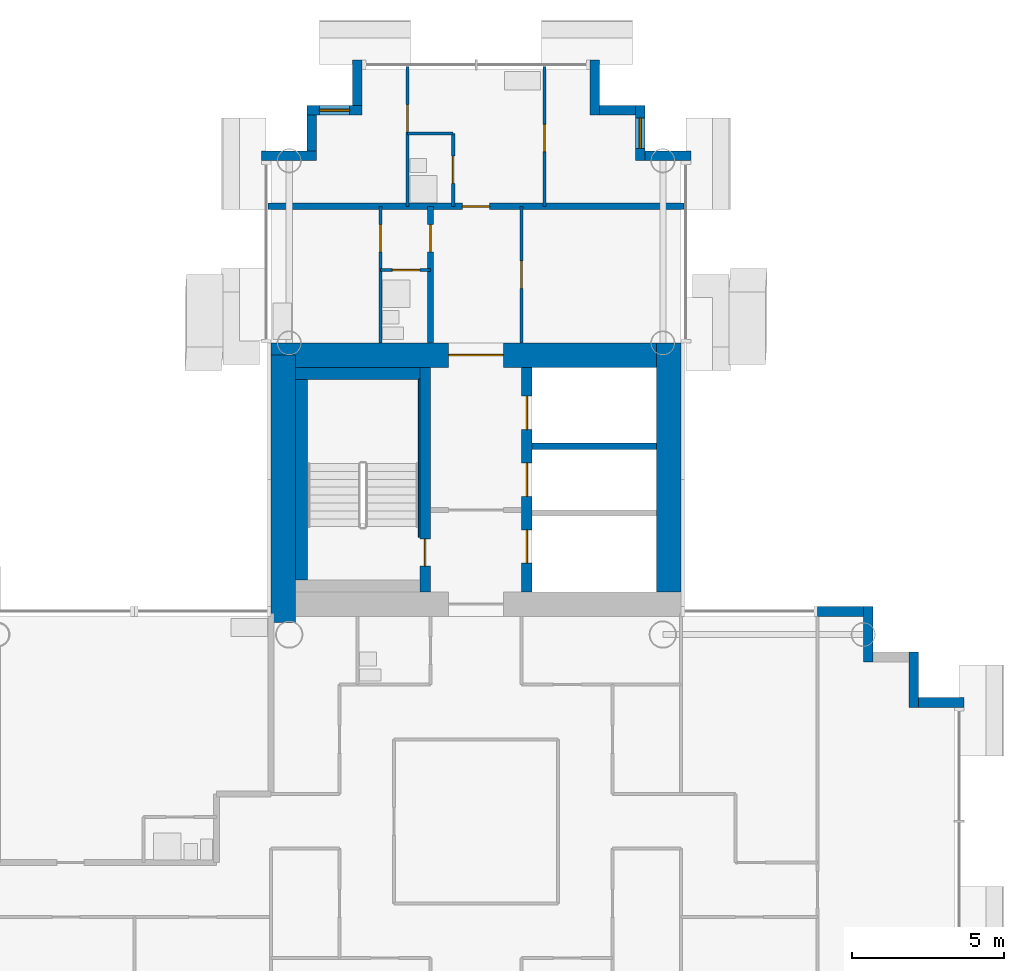
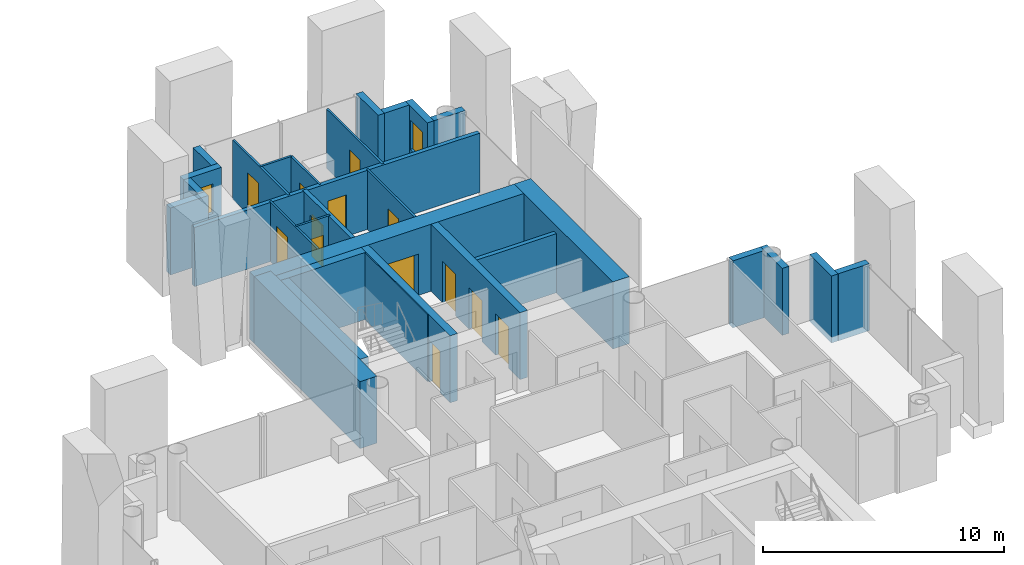
# One storey, part 11 of 18: 30 walls, 13 doors, 2 windows, 15 openings.
"""IFC4 building model written with IfcOpenShell, lengths in metres."""

from ifc_helpers import new_model, si_unit, direction, frame, frame_2d, origin, place, context, subcontext, project, spatial, rectangle, extrude, material, layer, layer_set, type_object, element, fill, save


model = new_model("IFC4")

# Units and contexts
model_context = context("Model", 3, precision=1e-05, world=origin(), true_north=direction((0.0, 1.0)))
body_context = subcontext(model_context, "Body", "Model", "MODEL_VIEW")
ifc_project = project(units=[si_unit("LENGTHUNIT", "METRE"), si_unit("AREAUNIT", "SQUARE_METRE"), si_unit("VOLUMEUNIT", "CUBIC_METRE"), si_unit("PLANEANGLEUNIT", "RADIAN"), si_unit("MASSUNIT", "GRAM", prefix="KILO")], contexts=[model_context])

# Site, building, storey
site_placement = place(None, origin())
site = spatial("IfcSite", under=ifc_project, at=site_placement, CompositionType="ELEMENT")
building_placement = place(site_placement, origin())
building = spatial("IfcBuilding", under=site, at=building_placement, Name="Ipe Terrace Towers", CompositionType="ELEMENT")
storey_placement = place(building_placement, frame((0.0, 0.0, 150.699951171875)))
storey = spatial("IfcBuildingStorey", under=building, at=storey_placement, Name="L41", CompositionType="ELEMENT", Elevation=150.699951171875)

# Walls
ifc_material_1 = material(Name="Concrete C40/50 with buff precast cladding", Category="concrete")
ifc_layer_1 = layer(ifc_material_1, 0.320068359375)
ifc_layer_set_1 = layer_set([ifc_layer_1], Name="BUFF CLADDING WALL 320")
wall_type_1 = type_object("IfcWallType", Name="BUFF CLADDING WALL 320", PredefinedType="STANDARD", material=ifc_layer_set_1)
wall_1_placement = place(storey_placement, frame((52.070068359375, 3.909912109375, -0.300048828125), z_axis=(0.0, 0.0, 1.0), x_axis=(-1.0, 0.0, 0.0)))
element("IfcWall", 1, at=wall_1_placement, inside=storey, type_object=wall_type_1, Name="T2-W-L41-09a wall", PredefinedType="STANDARD", context=body_context, shape_type="SweptSolid", body=[
    extrude(rectangle(XDim=1.5, YDim=0.320068359375, at=frame_2d((0.75, 0.0))), origin(), (0.0, 0.0, 1.0), 3.400146484375),
])
for number, where, z_axis, x_axis, name in (
    (2, (50.409912109375, 3.75, -0.300048828125), (0.0, 0.0, 1.0), (0.0, 1.0, 0.0), "T2-W-L41-10a wall"),
    (3, (48.909912109375, 5.25, -0.300048828125), (0.0, 0.0, 1.0), (0.0, 1.0, 0.0), "T2-W-L41-12a wall"),
):
    element("IfcWall", number, at=place(storey_placement, frame(where, z_axis=z_axis, x_axis=x_axis)), inside=storey, type_object=wall_type_1, Name=name, PredefinedType="STANDARD", context=body_context, shape_type="SweptSolid", body=[
        extrude(rectangle(XDim=1.820068359375, YDim=0.320068359375, at=frame_2d((0.91015625, 0.0))), origin(), (0.0, 0.0, 1.0), 3.400146484375),
    ])
for number, where, z_axis, x_axis, name in (
    (4, (48.75, 6.909912109375, -0.300048828125), (0.0, 0.0, 1.0), (-1.0, 0.0, 0.0), "T2-W-L41-13a wall"),
    (5, (43.070068359375, 21.909912109375, -0.300048828125), (0.0, 0.0, 1.0), (-1.0, 0.0, 0.0), "T2-W-L41-17a wall"),
):
    element("IfcWall", number, at=place(storey_placement, frame(where, z_axis=z_axis, x_axis=x_axis)), inside=storey, type_object=wall_type_1, Name=name, PredefinedType="STANDARD", context=body_context, shape_type="SweptSolid", body=[
        extrude(rectangle(XDim=1.5, YDim=0.320068359375, at=frame_2d((0.75, 0.0))), origin(), (0.0, 0.0, 1.0), 3.400146484375),
    ])

# Wall, opening, window
wall_2_placement = place(storey_placement, frame((41.409912109375, 21.75, -0.300048828125), z_axis=(0.0, 0.0, 1.0), x_axis=(0.0, 1.0, 0.0)))
wall_2 = element("IfcWall", 6, at=wall_2_placement, inside=storey, type_object=wall_type_1, Name="T2-W-L41-18a wall", PredefinedType="STANDARD", context=body_context, shape_type="SweptSolid", body=[
    extrude(rectangle(XDim=1.820068359375, YDim=0.320068359375, at=frame_2d((0.91015625, 0.0))), origin(), (0.0, 0.0, 1.0), 3.400146484375),
])
opening_1_placement = place(wall_2_placement, frame((0.409912109375, 0.0, 1.199951171875)))
opening_1 = element("IfcOpeningElement", 7, at=opening_1_placement, cuts=wall_2, Name="Opening T2-W-05-L41-02", PredefinedType="OPENING", context=body_context, shape_type="SweptSolid", body=[
    extrude(rectangle(XDim=1.0, YDim=1.5, at=frame_2d((0.5, 0.75))), frame((0.0, 0.169921875, 0.0), z_axis=(0.0, -1.0, 0.0), x_axis=(1.0, 0.0, 0.0)), (0.0, 0.0, 1.0), 0.340087890625),
])
ifc_material_2 = material(Name="Glass, clear laminated", Category="glass")
window_type = type_object("IfcWindowType", Name="DWELLING WINDOW 1000 x 1500", PartitioningType="SINGLE_PANEL", PredefinedType="WINDOW", material=ifc_material_2)
window_1_placement = place(opening_1_placement, origin())
window_1 = element("IfcWindow", 8, at=window_1_placement, inside=storey, type_object=window_type, Name="W-05 window", OverallHeight=1.5, OverallWidth=1.0, PartitioningType="SINGLE_PANEL", PredefinedType="WINDOW", context=body_context, shape_type="SweptSolid", body=[
    extrude(rectangle(XDim=1.0, YDim=1.5, at=frame_2d((0.5, 0.75))), frame((0.0, 0.030029296875, 0.0), z_axis=(0.0, -1.0, 0.0), x_axis=(1.0, 0.0, 0.0)), (0.0, 0.0, 1.0), 0.06005859375),
])
fill(opening_1, window_1)

# Walls
wall_3_placement = place(storey_placement, frame((41.25, 23.409912109375, -0.300048828125), z_axis=(0.0, 0.0, 1.0), x_axis=(-1.0, 0.0, 0.0)))
element("IfcWall", 9, at=wall_3_placement, inside=storey, type_object=wall_type_1, Name="T2-W-L41-19a wall", PredefinedType="STANDARD", context=body_context, shape_type="SweptSolid", body=[
    extrude(rectangle(XDim=1.179931640625, YDim=0.320068359375, at=frame_2d((0.58984375, 0.0))), origin(), (0.0, 0.0, 1.0), 3.400146484375),
])
wall_4_placement = place(storey_placement, frame((39.909912109375, 23.25, -0.300048828125), z_axis=(0.0, 0.0, 1.0), x_axis=(0.0, 1.0, 0.0)))
element("IfcWall", 10, at=wall_4_placement, inside=storey, type_object=wall_type_1, Name="T2-W-L41-20a wall", PredefinedType="STANDARD", context=body_context, shape_type="SweptSolid", body=[
    extrude(rectangle(XDim=1.820068359375, YDim=0.320068359375, at=frame_2d((0.91015625, 0.0))), origin(), (0.0, 0.0, 1.0), 3.400146484375),
])
wall_5_placement = place(storey_placement, frame((32.090087890625, 25.070068359375, -0.300048828125), z_axis=(0.0, 0.0, 1.0), x_axis=(0.0, -1.0, 0.0)))
element("IfcWall", 11, at=wall_5_placement, inside=storey, type_object=wall_type_1, Name="T2-W-L41-22a wall", PredefinedType="STANDARD", context=body_context, shape_type="SweptSolid", body=[
    extrude(rectangle(XDim=1.5, YDim=0.320068359375, at=frame_2d((0.75, 0.0))), origin(), (0.0, 0.0, 1.0), 3.400146484375),
])

# Wall, opening, window
wall_6_placement = place(storey_placement, frame((32.25, 23.409912109375, -0.300048828125), z_axis=(0.0, 0.0, 1.0), x_axis=(-1.0, 0.0, 0.0)))
wall_6 = element("IfcWall", 12, at=wall_6_placement, inside=storey, type_object=wall_type_1, Name="T2-W-L41-23a wall", PredefinedType="STANDARD", context=body_context, shape_type="SweptSolid", body=[
    extrude(rectangle(XDim=1.820068359375, YDim=0.320068359375, at=frame_2d((0.91015625, 0.0))), origin(), (0.0, 0.0, 1.0), 3.400146484375),
])
opening_2_placement = place(wall_6_placement, frame((0.409912109375, 0.0, 1.199951171875)))
opening_2 = element("IfcOpeningElement", 13, at=opening_2_placement, cuts=wall_6, Name="Opening T2-W-05-L41-01", PredefinedType="OPENING", context=body_context, shape_type="SweptSolid", body=[
    extrude(rectangle(XDim=1.0, YDim=1.5, at=frame_2d((0.5, 0.75))), frame((0.0, 0.169921875, 0.0), z_axis=(0.0, -1.0, 0.0), x_axis=(1.0, 0.0, 0.0)), (0.0, 0.0, 1.0), 0.340087890625),
])
window_2_placement = place(opening_2_placement, origin())
window_2 = element("IfcWindow", 14, at=window_2_placement, inside=storey, type_object=window_type, Name="W-05 window", OverallHeight=1.5, OverallWidth=1.0, PartitioningType="SINGLE_PANEL", PredefinedType="WINDOW", context=body_context, shape_type="SweptSolid", body=[
    extrude(rectangle(XDim=1.0, YDim=1.5, at=frame_2d((0.5, 0.75))), frame((0.0, 0.030029296875, 0.0), z_axis=(0.0, -1.0, 0.0), x_axis=(1.0, 0.0, 0.0)), (0.0, 0.0, 1.0), 0.06005859375),
])
fill(opening_2, window_2)

# Walls
wall_7_placement = place(storey_placement, frame((30.590087890625, 23.25, -0.300048828125), z_axis=(0.0, 0.0, 1.0), x_axis=(0.0, -1.0, 0.0)))
element("IfcWall", 15, at=wall_7_placement, inside=storey, type_object=wall_type_1, Name="T2-W-L41-24a wall", PredefinedType="STANDARD", context=body_context, shape_type="SweptSolid", body=[
    extrude(rectangle(XDim=1.179931640625, YDim=0.320068359375, at=frame_2d((0.58984375, 0.0))), origin(), (0.0, 0.0, 1.0), 3.400146484375),
])
wall_8_placement = place(storey_placement, frame((30.75, 21.909912109375, -0.300048828125), z_axis=(0.0, 0.0, 1.0), x_axis=(-1.0, 0.0, 0.0)))
element("IfcWall", 16, at=wall_8_placement, inside=storey, type_object=wall_type_1, Name="T2-W-L41-25a wall", PredefinedType="STANDARD", context=body_context, shape_type="SweptSolid", body=[
    extrude(rectangle(XDim=1.820068359375, YDim=0.320068359375, at=frame_2d((0.91015625, 0.0))), origin(), (0.0, 0.0, 1.0), 3.400146484375),
])

# Wall, opening, door
ifc_material_3 = material(Name="Gypsum board partition", Category="plasterboard")
ifc_layer_2 = layer(ifc_material_3, 0.10009765625)
ifc_layer_set_2 = layer_set([ifc_layer_2], Name="Gypsum board partition 100 mm")
wall_type_2 = type_object("IfcWallType", Name="Gypsum board partition 100 mm", PredefinedType="PARTITIONING", material=ifc_layer_set_2)
wall_9_placement = place(storey_placement, frame((34.5, 18.14990234375, 0.0), z_axis=(0.0, 0.0, 1.0), x_axis=(-1.0, 0.0, 0.0)))
wall_9 = element("IfcWall", 17, at=wall_9_placement, inside=storey, type_object=wall_type_2, Name="Gypsum board partition T2 L41 W17", PredefinedType="PARTITIONING", context=body_context, shape_type="SweptSolid", body=[
    extrude(rectangle(XDim=1.64990234375, YDim=0.10009765625, at=frame_2d((0.824951171875, 0.0))), origin(), (0.0, 0.0, 1.0), 3.0),
])
opening_3_placement = place(wall_9_placement, frame((0.35009765625, 0.0, 0.0)))
opening_3 = element("IfcOpeningElement", 18, at=opening_3_placement, cuts=wall_9, Name="Opening T2-Z3B-20", PredefinedType="OPENING", context=body_context, shape_type="SweptSolid", body=[
    extrude(rectangle(XDim=0.89990234375, YDim=2.10009765625, at=frame_2d((0.449951171875, 1.050048828125))), frame((0.0, 0.06005859375, 0.0), z_axis=(0.0, -1.0, 0.0), x_axis=(1.0, 0.0, 0.0)), (0.0, 0.0, 1.0), 0.1201171875),
])
ifc_material_4 = material(Name="Timber door leaf", Category="wood")
door_type_1 = type_object("IfcDoorType", Name="Bathroom door 900 x 2100", OperationType="NOTDEFINED", PredefinedType="DOOR", material=ifc_material_4)
door_1_placement = place(opening_3_placement, origin())
door_1 = element("IfcDoor", 19, at=door_1_placement, inside=storey, type_object=door_type_1, Name="Bathroom door T2-Z3B-20", OperationType="SINGLE_SWING_RIGHT", OverallHeight=2.10009765625, OverallWidth=0.89990234375, PredefinedType="DOOR", context=body_context, shape_type="SweptSolid", body=[
    extrude(rectangle(XDim=0.89990234375, YDim=2.10009765625, at=frame_2d((0.449951171875, 1.050048828125))), frame((0.0, 0.02490234375, 0.0), z_axis=(0.0, -1.0, 0.0), x_axis=(1.0, 0.0, 0.0)), (0.0, 0.0, 1.0), 0.050048828125),
])
fill(opening_3, door_1)

# Wall
wall_10_placement = place(storey_placement, frame((35.25, 22.64990234375, 0.0), z_axis=(0.0, 0.0, 1.0), x_axis=(-1.0, 0.0, 0.0)))
element("IfcWall", 20, at=wall_10_placement, inside=storey, type_object=wall_type_2, Name="Gypsum board partition T2 L41 W19", PredefinedType="PARTITIONING", context=body_context, shape_type="SweptSolid", body=[
    extrude(rectangle(XDim=1.5, YDim=0.10009765625, at=frame_2d((0.75, 0.0))), origin(), (0.0, 0.0, 1.0), 3.0),
])

# Wall, opening, door
wall_11_placement = place(storey_placement, frame((38.25, 20.25, 0.0), z_axis=(0.0, 0.0, 1.0), x_axis=(0.0, 1.0, 0.0)))
wall_11 = element("IfcWall", 21, at=wall_11_placement, inside=storey, type_object=wall_type_2, Name="Gypsum board partition T2 L41 W27", PredefinedType="PARTITIONING", context=body_context, shape_type="SweptSolid", body=[
    extrude(rectangle(XDim=4.60009765625, YDim=0.10009765625, at=frame_2d((2.300048828125, 0.0))), origin(), (0.0, 0.0, 1.0), 3.0),
])
opening_4_placement = place(wall_11_placement, frame((1.800048828125, 0.0, 0.0)))
opening_4 = element("IfcOpeningElement", 22, at=opening_4_placement, cuts=wall_11, Name="Opening T2-Z3B-25", PredefinedType="OPENING", context=body_context, shape_type="SweptSolid", body=[
    extrude(rectangle(XDim=0.89990234375, YDim=2.10009765625, at=frame_2d((0.449951171875, 1.050048828125))), frame((0.0, 0.06005859375, 0.0), z_axis=(0.0, -1.0, 0.0), x_axis=(1.0, 0.0, 0.0)), (0.0, 0.0, 1.0), 0.1201171875),
])
ifc_material_5 = material(Name="Timber door leaf", Category="wood")
door_type_2 = type_object("IfcDoorType", Name="Bedroom door 900 x 2100", OperationType="NOTDEFINED", PredefinedType="DOOR", material=ifc_material_5)
door_2_placement = place(opening_4_placement, origin())
door_2 = element("IfcDoor", 23, at=door_2_placement, inside=storey, type_object=door_type_2, Name="Bedroom door T2-Z3B-25", OperationType="SINGLE_SWING_LEFT", OverallHeight=2.10009765625, OverallWidth=0.89990234375, PredefinedType="DOOR", context=body_context, shape_type="SweptSolid", body=[
    extrude(rectangle(XDim=0.89990234375, YDim=2.10009765625, at=frame_2d((0.449951171875, 1.050048828125))), frame((0.0, 0.02490234375, 0.0), z_axis=(0.0, -1.0, 0.0), x_axis=(1.0, 0.0, 0.0)), (0.0, 0.0, 1.0), 0.050048828125),
])
fill(opening_4, door_2)

wall_12_placement = place(storey_placement, frame((37.5, 15.75, 0.0), z_axis=(0.0, 0.0, 1.0), x_axis=(0.0, 1.0, 0.0)))
wall_12 = element("IfcWall", 24, at=wall_12_placement, inside=storey, type_object=wall_type_2, Name="Gypsum board partition T2 L41 W30", PredefinedType="PARTITIONING", context=body_context, shape_type="SweptSolid", body=[
    extrude(rectangle(XDim=4.5, YDim=0.10009765625, at=frame_2d((2.25, 0.0))), origin(), (0.0, 0.0, 1.0), 3.0),
])
opening_5_placement = place(wall_12_placement, frame((1.800048828125, 0.0, 0.0)))
opening_5 = element("IfcOpeningElement", 25, at=opening_5_placement, cuts=wall_12, Name="Opening T2-Z3B-21", PredefinedType="OPENING", context=body_context, shape_type="SweptSolid", body=[
    extrude(rectangle(XDim=0.89990234375, YDim=2.10009765625, at=frame_2d((0.449951171875, 1.050048828125))), frame((0.0, 0.06005859375, 0.0), z_axis=(0.0, -1.0, 0.0), x_axis=(1.0, 0.0, 0.0)), (0.0, 0.0, 1.0), 0.1201171875),
])
ifc_material_6 = material(Name="Timber door leaf", Category="wood")
door_type_3 = type_object("IfcDoorType", Name="Lounge door 900 x 2100", OperationType="NOTDEFINED", PredefinedType="DOOR", material=ifc_material_6)
door_3_placement = place(opening_5_placement, origin())
door_3 = element("IfcDoor", 26, at=door_3_placement, inside=storey, type_object=door_type_3, Name="Lounge door T2-Z3B-21", OperationType="SINGLE_SWING_RIGHT", OverallHeight=2.10009765625, OverallWidth=0.89990234375, PredefinedType="DOOR", context=body_context, shape_type="SweptSolid", body=[
    extrude(rectangle(XDim=0.89990234375, YDim=2.10009765625, at=frame_2d((0.449951171875, 1.050048828125))), frame((0.0, 0.02490234375, 0.0), z_axis=(0.0, -1.0, 0.0), x_axis=(1.0, 0.0, 0.0)), (0.0, 0.0, 1.0), 0.050048828125),
])
fill(opening_5, door_3)

wall_13_placement = place(storey_placement, frame((35.25, 20.25, 0.0), z_axis=(0.0, 0.0, 1.0), x_axis=(0.0, 1.0, 0.0)))
wall_13 = element("IfcWall", 27, at=wall_13_placement, inside=storey, type_object=wall_type_2, Name="Gypsum board partition T2 L41 W31", PredefinedType="PARTITIONING", context=body_context, shape_type="SweptSolid", body=[
    extrude(rectangle(XDim=2.39990234375, YDim=0.10009765625, at=frame_2d((1.199951171875, 0.0))), origin(), (0.0, 0.0, 1.0), 3.0),
])
opening_6_placement = place(wall_13_placement, frame((0.75, 0.0, 0.0)))
opening_6 = element("IfcOpeningElement", 28, at=opening_6_placement, cuts=wall_13, Name="Opening T2-Z3B-22", PredefinedType="OPENING", context=body_context, shape_type="SweptSolid", body=[
    extrude(rectangle(XDim=0.89990234375, YDim=2.10009765625, at=frame_2d((0.449951171875, 1.050048828125))), frame((0.0, 0.06005859375, 0.0), z_axis=(0.0, -1.0, 0.0), x_axis=(1.0, 0.0, 0.0)), (0.0, 0.0, 1.0), 0.1201171875),
])
door_4_placement = place(opening_6_placement, origin())
door_4 = element("IfcDoor", 29, at=door_4_placement, inside=storey, type_object=door_type_1, Name="Bathroom door T2-Z3B-22", OperationType="SINGLE_SWING_LEFT", OverallHeight=2.10009765625, OverallWidth=0.89990234375, PredefinedType="DOOR", context=body_context, shape_type="SweptSolid", body=[
    extrude(rectangle(XDim=0.89990234375, YDim=2.10009765625, at=frame_2d((0.449951171875, 1.050048828125))), frame((0.0, 0.02490234375, 0.0), z_axis=(0.0, -1.0, 0.0), x_axis=(1.0, 0.0, 0.0)), (0.0, 0.0, 1.0), 0.050048828125),
])
fill(opening_6, door_4)

wall_14_placement = place(storey_placement, frame((33.75, 20.25, 0.0), z_axis=(0.0, 0.0, 1.0), x_axis=(0.0, 1.0, 0.0)))
wall_14 = element("IfcWall", 30, at=wall_14_placement, inside=storey, type_object=wall_type_2, Name="Gypsum board partition T2 L41 W35", PredefinedType="PARTITIONING", context=body_context, shape_type="SweptSolid", body=[
    extrude(rectangle(XDim=4.60009765625, YDim=0.10009765625, at=frame_2d((2.300048828125, 0.0))), origin(), (0.0, 0.0, 1.0), 3.0),
])
opening_7_placement = place(wall_14_placement, frame((2.449951171875, 0.0, 0.0)))
opening_7 = element("IfcOpeningElement", 31, at=opening_7_placement, cuts=wall_14, Name="Opening T2-Z3B-24", PredefinedType="OPENING", context=body_context, shape_type="SweptSolid", body=[
    extrude(rectangle(XDim=0.89990234375, YDim=2.10009765625, at=frame_2d((0.449951171875, 1.050048828125))), frame((0.0, 0.06005859375, 0.0), z_axis=(0.0, -1.0, 0.0), x_axis=(1.0, 0.0, 0.0)), (0.0, 0.0, 1.0), 0.1201171875),
])
door_5_placement = place(opening_7_placement, origin())
door_5 = element("IfcDoor", 32, at=door_5_placement, inside=storey, type_object=door_type_2, Name="Bedroom door T2-Z3B-24", OperationType="SINGLE_SWING_LEFT", OverallHeight=2.10009765625, OverallWidth=0.89990234375, PredefinedType="DOOR", context=body_context, shape_type="SweptSolid", body=[
    extrude(rectangle(XDim=0.89990234375, YDim=2.10009765625, at=frame_2d((0.449951171875, 1.050048828125))), frame((0.0, 0.02490234375, 0.0), z_axis=(0.0, -1.0, 0.0), x_axis=(1.0, 0.0, 0.0)), (0.0, 0.0, 1.0), 0.050048828125),
])
fill(opening_7, door_5)

wall_15_placement = place(storey_placement, frame((32.85009765625, 15.75, 0.0), z_axis=(0.0, 0.0, 1.0), x_axis=(0.0, 1.0, 0.0)))
wall_15 = element("IfcWall", 33, at=wall_15_placement, inside=storey, type_object=wall_type_2, Name="Gypsum board partition T2 L41 W37", PredefinedType="PARTITIONING", context=body_context, shape_type="SweptSolid", body=[
    extrude(rectangle(XDim=4.5, YDim=0.10009765625, at=frame_2d((2.25, 0.0))), origin(), (0.0, 0.0, 1.0), 3.0),
])
opening_8_placement = place(wall_15_placement, frame((3.0, 0.0, 0.0)))
opening_8 = element("IfcOpeningElement", 34, at=opening_8_placement, cuts=wall_15, Name="Opening T2-Z3B-19", PredefinedType="OPENING", context=body_context, shape_type="SweptSolid", body=[
    extrude(rectangle(XDim=0.89990234375, YDim=2.10009765625, at=frame_2d((0.449951171875, 1.050048828125))), frame((0.0, 0.06005859375, 0.0), z_axis=(0.0, -1.0, 0.0), x_axis=(1.0, 0.0, 0.0)), (0.0, 0.0, 1.0), 0.1201171875),
])
door_6_placement = place(opening_8_placement, origin())
door_6 = element("IfcDoor", 35, at=door_6_placement, inside=storey, type_object=door_type_2, Name="Bedroom door T2-Z3B-19", OperationType="SINGLE_SWING_LEFT", OverallHeight=2.10009765625, OverallWidth=0.89990234375, PredefinedType="DOOR", context=body_context, shape_type="SweptSolid", body=[
    extrude(rectangle(XDim=0.89990234375, YDim=2.10009765625, at=frame_2d((0.449951171875, 1.050048828125))), frame((0.0, 0.02490234375, 0.0), z_axis=(0.0, -1.0, 0.0), x_axis=(1.0, 0.0, 0.0)), (0.0, 0.0, 1.0), 0.050048828125),
])
fill(opening_8, door_6)

# Wall
ifc_material_7 = material(Name="Gypsum board party wall", Category="plasterboard")
ifc_layer_3 = layer(ifc_material_7, 0.199951171875)
ifc_layer_set_3 = layer_set([ifc_layer_3], Name="Gypsum board party wall 200 mm")
wall_type_3 = type_object("IfcWallType", Name="Gypsum board party wall 200 mm", PredefinedType="SOLIDWALL", material=ifc_layer_set_3)
wall_16_placement = place(storey_placement, frame((41.949951171875, 12.35009765625, 0.0), z_axis=(0.0, 0.0, 1.0), x_axis=(-1.0, 0.0, 0.0)))
element("IfcWall", 36, at=wall_16_placement, inside=storey, type_object=wall_type_3, Name="Gypsum board party wall T2 L41 t2c1-shaft-div2", PredefinedType="SOLIDWALL", context=body_context, shape_type="SweptSolid", body=[
    extrude(rectangle(XDim=4.099853515625, YDim=0.199951171875, at=frame_2d((2.0498046875, 0.0))), origin(), (0.0, 0.0, 1.0), 3.0),
])

# Wall, opening, door
wall_17_placement = place(storey_placement, frame((42.85009765625, 20.25, 0.0), z_axis=(0.0, 0.0, 1.0), x_axis=(-1.0, 0.0, 0.0)))
wall_17 = element("IfcWall", 37, at=wall_17_placement, inside=storey, type_object=wall_type_3, Name="Gypsum board party wall T2 L41 W18", PredefinedType="SOLIDWALL", context=body_context, shape_type="SweptSolid", body=[
    extrude(rectangle(XDim=13.7001953125, YDim=0.199951171875, at=frame_2d((6.85009765625, 0.0))), origin(), (0.0, 0.0, 1.0), 3.0),
])
opening_9_placement = place(wall_17_placement, frame((6.39990234375, 0.0, 0.0)))
opening_9 = element("IfcOpeningElement", 38, at=opening_9_placement, cuts=wall_17, Name="Opening T2-Z3B-23", PredefinedType="OPENING", context=body_context, shape_type="SweptSolid", body=[
    extrude(rectangle(XDim=0.89990234375, YDim=2.10009765625, at=frame_2d((0.449951171875, 1.050048828125))), frame((0.0, 0.10986328125, 0.0), z_axis=(0.0, -1.0, 0.0), x_axis=(1.0, 0.0, 0.0)), (0.0, 0.0, 1.0), 0.219970703125),
])
ifc_material_8 = material(Name="Fire-rated timber door leaf", Category="wood")
door_type_4 = type_object("IfcDoorType", Name="Flat entrance door 900 x 2100 FD30S", OperationType="NOTDEFINED", PredefinedType="DOOR", material=ifc_material_8)
door_7_placement = place(opening_9_placement, origin())
door_7 = element("IfcDoor", 39, at=door_7_placement, inside=storey, type_object=door_type_4, Name="Flat entrance door T2-Z3B-23", OperationType="SINGLE_SWING_RIGHT", OverallHeight=2.10009765625, OverallWidth=0.89990234375, PredefinedType="DOOR", context=body_context, shape_type="SweptSolid", body=[
    extrude(rectangle(XDim=0.89990234375, YDim=2.10009765625, at=frame_2d((0.449951171875, 1.050048828125))), frame((0.0, 0.02490234375, 0.0), z_axis=(0.0, -1.0, 0.0), x_axis=(1.0, 0.0, 0.0)), (0.0, 0.0, 1.0), 0.050048828125),
])
fill(opening_9, door_7)

wall_18_placement = place(storey_placement, frame((34.5, 15.75, 0.0), z_axis=(0.0, 0.0, 1.0), x_axis=(0.0, 1.0, 0.0)))
wall_18 = element("IfcWall", 40, at=wall_18_placement, inside=storey, type_object=wall_type_3, Name="Gypsum board party wall T2 L41 W34", PredefinedType="SOLIDWALL", context=body_context, shape_type="SweptSolid", body=[
    extrude(rectangle(XDim=4.5, YDim=0.199951171875, at=frame_2d((2.25, 0.0))), origin(), (0.0, 0.0, 1.0), 3.0),
])
opening_10_placement = place(wall_18_placement, frame((3.0, 0.0, 0.0)))
opening_10 = element("IfcOpeningElement", 41, at=opening_10_placement, cuts=wall_18, Name="Opening T2-Z3B-18", PredefinedType="OPENING", context=body_context, shape_type="SweptSolid", body=[
    extrude(rectangle(XDim=0.89990234375, YDim=2.10009765625, at=frame_2d((0.449951171875, 1.050048828125))), frame((0.0, 0.10986328125, 0.0), z_axis=(0.0, -1.0, 0.0), x_axis=(1.0, 0.0, 0.0)), (0.0, 0.0, 1.0), 0.219970703125),
])
door_8_placement = place(opening_10_placement, origin())
door_8 = element("IfcDoor", 42, at=door_8_placement, inside=storey, type_object=door_type_4, Name="Flat entrance door T2-Z3B-18", OperationType="SINGLE_SWING_LEFT", OverallHeight=2.10009765625, OverallWidth=0.89990234375, PredefinedType="DOOR", context=body_context, shape_type="SweptSolid", body=[
    extrude(rectangle(XDim=0.89990234375, YDim=2.10009765625, at=frame_2d((0.449951171875, 1.050048828125))), frame((0.0, 0.02490234375, 0.0), z_axis=(0.0, -1.0, 0.0), x_axis=(1.0, 0.0, 0.0)), (0.0, 0.0, 1.0), 0.050048828125),
])
fill(opening_10, door_8)

ifc_material_9 = material(Name="Concrete C50/60", Category="concrete")
ifc_layer_4 = layer(ifc_material_9, 0.35009765625)
ifc_layer_set_4 = layer_set([ifc_layer_4], Name="RW350 CORE SPINE WALL 350 C50-60")
wall_type_4 = type_object("IfcWallType", Name="RW350 CORE SPINE WALL 350 C50-60", PredefinedType="SHEAR", material=ifc_layer_set_4)
wall_19_placement = place(storey_placement, frame((34.324951171875, 7.550048828125, 0.0), z_axis=(0.0, 0.0, 1.0), x_axis=(0.0, 1.0, 0.0)))
wall_19 = element("IfcWall", 43, at=wall_19_placement, inside=storey, type_object=wall_type_4, Name="Core spine wall T2-C1-Z3-SW1", PredefinedType="SHEAR", context=body_context, shape_type="SweptSolid", body=[
    extrude(rectangle(XDim=7.39990234375, YDim=0.35009765625, at=frame_2d((3.699951171875, 0.0))), origin(), (0.0, 0.0, 1.0), 3.400146484375),
])
opening_11_placement = place(wall_19_placement, frame((0.85009765625, 0.0, 0.0)))
opening_11 = element("IfcOpeningElement", 44, at=opening_11_placement, cuts=wall_19, Name="Opening T2C1-SD", PredefinedType="OPENING", context=body_context, shape_type="SweptSolid", body=[
    extrude(rectangle(XDim=0.89990234375, YDim=2.10009765625, at=frame_2d((0.449951171875, 1.050048828125))), frame((0.0, 0.18505859375, 0.0), z_axis=(0.0, -1.0, 0.0), x_axis=(1.0, 0.0, 0.0)), (0.0, 0.0, 1.0), 0.3701171875),
])
ifc_material_10 = material(Name="Fire-rated timber door leaf", Category="wood")
door_type_5 = type_object("IfcDoorType", Name="Stair door 900 x 2100 FD60", OperationType="NOTDEFINED", PredefinedType="DOOR", material=ifc_material_10)
door_9_placement = place(opening_11_placement, origin())
door_9 = element("IfcDoor", 45, at=door_9_placement, inside=storey, type_object=door_type_5, Name="Stair door T2C1-SD", OperationType="SINGLE_SWING_LEFT", OverallHeight=2.10009765625, OverallWidth=0.89990234375, PredefinedType="DOOR", context=body_context, shape_type="SweptSolid", body=[
    extrude(rectangle(XDim=0.89990234375, YDim=2.10009765625, at=frame_2d((0.449951171875, 1.050048828125))), frame((0.0, 0.02490234375, 0.0), z_axis=(0.0, -1.0, 0.0), x_axis=(1.0, 0.0, 0.0)), (0.0, 0.0, 1.0), 0.050048828125),
])
fill(opening_11, door_9)

# Wall, openings, doors
wall_20_placement = place(storey_placement, frame((37.675048828125, 7.550048828125, 0.0), z_axis=(0.0, 0.0, 1.0), x_axis=(0.0, 1.0, 0.0)))
wall_20 = element("IfcWall", 46, at=wall_20_placement, inside=storey, type_object=wall_type_4, Name="Core spine wall T2-C1-Z3-SW2", PredefinedType="SHEAR", context=body_context, shape_type="SweptSolid", body=[
    extrude(rectangle(XDim=7.39990234375, YDim=0.35009765625, at=frame_2d((3.699951171875, 0.0))), origin(), (0.0, 0.0, 1.0), 3.400146484375),
])
opening_12_placement = place(wall_20_placement, frame((0.949951171875, 0.0, 0.0)))
opening_12 = element("IfcOpeningElement", 47, at=opening_12_placement, cuts=wall_20, Name="Opening T2C1-LD1", PredefinedType="OPENING", context=body_context, shape_type="SweptSolid", body=[
    extrude(rectangle(XDim=1.10009765625, YDim=2.10009765625, at=frame_2d((0.550048828125, 1.050048828125))), frame((0.0, 0.18505859375, 0.0), z_axis=(0.0, -1.0, 0.0), x_axis=(1.0, 0.0, 0.0)), (0.0, 0.0, 1.0), 0.3701171875),
])
opening_13_placement = place(wall_20_placement, frame((3.14990234375, 0.0, 0.0)))
opening_13 = element("IfcOpeningElement", 48, at=opening_13_placement, cuts=wall_20, Name="Opening T2C1-LD2", PredefinedType="OPENING", context=body_context, shape_type="SweptSolid", body=[
    extrude(rectangle(XDim=1.10009765625, YDim=2.10009765625, at=frame_2d((0.550048828125, 1.050048828125))), frame((0.0, 0.18505859375, 0.0), z_axis=(0.0, -1.0, 0.0), x_axis=(1.0, 0.0, 0.0)), (0.0, 0.0, 1.0), 0.3701171875),
])
opening_14_placement = place(wall_20_placement, frame((5.35009765625, 0.0, 0.0)))
opening_14 = element("IfcOpeningElement", 49, at=opening_14_placement, cuts=wall_20, Name="Opening T2C1-LD3", PredefinedType="OPENING", context=body_context, shape_type="SweptSolid", body=[
    extrude(rectangle(XDim=1.10009765625, YDim=2.10009765625, at=frame_2d((0.550048828125, 1.050048828125))), frame((0.0, 0.18505859375, 0.0), z_axis=(0.0, -1.0, 0.0), x_axis=(1.0, 0.0, 0.0)), (0.0, 0.0, 1.0), 0.3701171875),
])
ifc_material_11 = material(Name="Fire-rated timber door leaf", Category="wood")
door_type_6 = type_object("IfcDoorType", Name="Sliding door 1100 x 2100 FD60", OperationType="SLIDING_TO_LEFT", PredefinedType="DOOR", material=ifc_material_11)
door_10_placement = place(opening_12_placement, origin())
door_10 = element("IfcDoor", 50, at=door_10_placement, inside=storey, type_object=door_type_6, Name="Sliding door T2C1-LD1", OperationType="SLIDING_TO_LEFT", OverallHeight=2.10009765625, OverallWidth=1.10009765625, PredefinedType="DOOR", context=body_context, shape_type="SweptSolid", body=[
    extrude(rectangle(XDim=1.10009765625, YDim=2.10009765625, at=frame_2d((0.550048828125, 1.050048828125))), frame((0.0, 0.02490234375, 0.0), z_axis=(0.0, -1.0, 0.0), x_axis=(1.0, 0.0, 0.0)), (0.0, 0.0, 1.0), 0.050048828125),
])
fill(opening_12, door_10)
door_11_placement = place(opening_13_placement, origin())
door_11 = element("IfcDoor", 51, at=door_11_placement, inside=storey, type_object=door_type_6, Name="Sliding door T2C1-LD2", OperationType="SLIDING_TO_LEFT", OverallHeight=2.10009765625, OverallWidth=1.10009765625, PredefinedType="DOOR", context=body_context, shape_type="SweptSolid", body=[
    extrude(rectangle(XDim=1.10009765625, YDim=2.10009765625, at=frame_2d((0.550048828125, 1.050048828125))), frame((0.0, 0.02490234375, 0.0), z_axis=(0.0, -1.0, 0.0), x_axis=(1.0, 0.0, 0.0)), (0.0, 0.0, 1.0), 0.050048828125),
])
fill(opening_13, door_11)
door_12_placement = place(opening_14_placement, origin())
door_12 = element("IfcDoor", 52, at=door_12_placement, inside=storey, type_object=door_type_6, Name="Sliding door T2C1-LD3", OperationType="SLIDING_TO_LEFT", OverallHeight=2.10009765625, OverallWidth=1.10009765625, PredefinedType="DOOR", context=body_context, shape_type="SweptSolid", body=[
    extrude(rectangle(XDim=1.10009765625, YDim=2.10009765625, at=frame_2d((0.550048828125, 1.050048828125))), frame((0.0, 0.02490234375, 0.0), z_axis=(0.0, -1.0, 0.0), x_axis=(1.0, 0.0, 0.0)), (0.0, 0.0, 1.0), 0.050048828125),
])
fill(opening_14, door_12)

# Walls
ifc_material_12 = material(Name="Concrete C50/60", Category="concrete")
ifc_layer_5 = layer(ifc_material_12, 0.39990234375)
ifc_layer_set_5 = layer_set([ifc_layer_5], Name="RW400 CORE INFILL WALL 400 C50-60")
wall_type_5 = type_object("IfcWallType", Name="RW400 CORE INFILL WALL 400 C50-60", PredefinedType="SHEAR", material=ifc_layer_set_5)
wall_21_placement = place(storey_placement, frame((34.14990234375, 14.75, 0.0), z_axis=(0.0, 0.0, 1.0), x_axis=(-1.0, 0.0, 0.0)))
element("IfcWall", 53, at=wall_21_placement, inside=storey, type_object=wall_type_5, Name="Core infill wall T2-C1-far", PredefinedType="SHEAR", context=body_context, shape_type="SweptSolid", body=[
    extrude(rectangle(XDim=4.099853515625, YDim=0.39990234375, at=frame_2d((2.0498046875, 0.0))), origin(), (0.0, 0.0, 1.0), 3.400146484375),
])
wall_22_placement = place(storey_placement, frame((30.25, 7.949951171875, 0.0), z_axis=(0.0, 0.0, 1.0), x_axis=(0.0, 1.0, 0.0)))
element("IfcWall", 54, at=wall_22_placement, inside=storey, type_object=wall_type_5, Name="Core infill wall T2-C1-back", PredefinedType="SHEAR", context=body_context, shape_type="SweptSolid", body=[
    extrude(rectangle(XDim=6.60009765625, YDim=0.39990234375, at=frame_2d((3.300048828125, 0.0))), origin(), (0.0, 0.0, 1.0), 3.400146484375),
])
ifc_material_13 = material(Name="Concrete C50/60", Category="concrete")
ifc_layer_6 = layer(ifc_material_13, 0.050048828125)
ifc_layer_set_6 = layer_set([ifc_layer_6], Name="RW50 CORE INFILL WALL 50 C50-60")
wall_type_6 = type_object("IfcWallType", Name="RW50 CORE INFILL WALL 50 C50-60", PredefinedType="SHEAR", material=ifc_layer_set_6)
wall_23_placement = place(storey_placement, frame((34.125, 9.35009765625, 0.0), z_axis=(0.0, 0.0, 1.0), x_axis=(0.0, 1.0, 0.0)))
element("IfcWall", 55, at=wall_23_placement, inside=storey, type_object=wall_type_6, Name="Core infill wall T2-C1-spine-b", PredefinedType="SHEAR", context=body_context, shape_type="SweptSolid", body=[
    extrude(rectangle(XDim=5.199951171875, YDim=0.050048828125, at=frame_2d((2.60009765625, 0.0))), origin(), (0.0, 0.0, 1.0), 3.400146484375),
])
ifc_material_14 = material(Name="Concrete C50/60", Category="concrete")
ifc_layer_7 = layer(ifc_material_14, 0.800048828125)
ifc_layer_set_7 = layer_set([ifc_layer_7], Name="RW800 CORE WALL 800 C50-60")
wall_type_7 = type_object("IfcWallType", Name="RW800 CORE WALL 800 C50-60", PredefinedType="SHEAR", material=ifc_layer_set_7)
wall_24_placement = place(storey_placement, frame((42.35009765625, 7.550048828125, 0.0), z_axis=(0.0, 0.0, 1.0), x_axis=(0.0, 1.0, 0.0)))
element("IfcWall", 56, at=wall_24_placement, inside=storey, type_object=wall_type_7, Name="Core wall T2-C1-Z3-W02", PredefinedType="SHEAR", context=body_context, shape_type="SweptSolid", body=[
    extrude(rectangle(XDim=8.199951171875, YDim=0.800048828125, at=frame_2d((4.10009765625, 0.0))), origin(), (0.0, 0.0, 1.0), 3.400146484375),
])

# Wall, opening, door
wall_25_placement = place(storey_placement, frame((41.949951171875, 15.35009765625, 0.0), z_axis=(0.0, 0.0, 1.0), x_axis=(-1.0, 0.0, 0.0)))
wall_25 = element("IfcWall", 57, at=wall_25_placement, inside=storey, type_object=wall_type_7, Name="Core wall T2-C1-Z3-W03", PredefinedType="SHEAR", context=body_context, shape_type="SweptSolid", body=[
    extrude(rectangle(XDim=12.699951171875, YDim=0.800048828125, at=frame_2d((6.35009765625, 0.0))), origin(), (0.0, 0.0, 1.0), 3.400146484375),
])
opening_15_placement = place(wall_25_placement, frame((5.050048828125, 0.0, 0.0)))
opening_15 = element("IfcOpeningElement", 58, at=opening_15_placement, cuts=wall_25, Name="Opening T2C1-FD", PredefinedType="OPENING", context=body_context, shape_type="SweptSolid", body=[
    extrude(rectangle(XDim=1.800048828125, YDim=2.10009765625, at=frame_2d((0.89990234375, 1.050048828125))), frame((0.0, 0.41015625, 0.0), z_axis=(0.0, -1.0, 0.0), x_axis=(1.0, 0.0, 0.0)), (0.0, 0.0, 1.0), 0.820068359375),
])
ifc_material_15 = material(Name="Fire-rated timber door leaf", Category="wood")
door_type_7 = type_object("IfcDoorType", Name="Fire door 1800 x 2100 FD30S", OperationType="NOTDEFINED", PredefinedType="DOOR", material=ifc_material_15)
door_13_placement = place(opening_15_placement, origin())
door_13 = element("IfcDoor", 59, at=door_13_placement, inside=storey, type_object=door_type_7, Name="Fire door T2C1-FD", OperationType="SINGLE_SWING_LEFT", OverallHeight=2.10009765625, OverallWidth=1.800048828125, PredefinedType="DOOR", context=body_context, shape_type="SweptSolid", body=[
    extrude(rectangle(XDim=1.800048828125, YDim=2.10009765625, at=frame_2d((0.89990234375, 1.050048828125))), frame((0.0, 0.02490234375, 0.0), z_axis=(0.0, -1.0, 0.0), x_axis=(1.0, 0.0, 0.0)), (0.0, 0.0, 1.0), 0.050048828125),
])
fill(opening_15, door_13)

# Wall
wall_26_placement = place(storey_placement, frame((29.64990234375, 15.347900390625, 0.0), z_axis=(0.0, 0.0, 1.0), x_axis=(0.0, -1.0, 0.0)))
element("IfcWall", 60, at=wall_26_placement, inside=storey, type_object=wall_type_7, Name="Core wall T2-C1-Z3-W04", PredefinedType="SHEAR", context=body_context, shape_type="SweptSolid", body=[
    extrude(rectangle(XDim=8.7958984375, YDim=0.800048828125, at=frame_2d((4.39794921875, 0.0))), origin(), (0.0, 0.0, 1.0), 3.400146484375),
])

save(model, "model.ifc")
